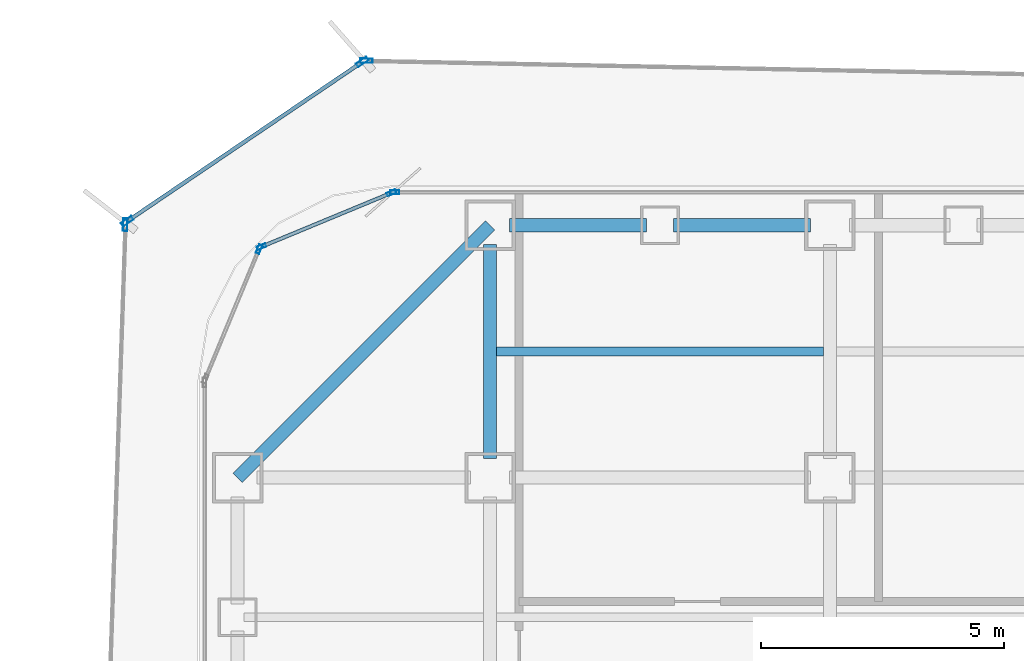
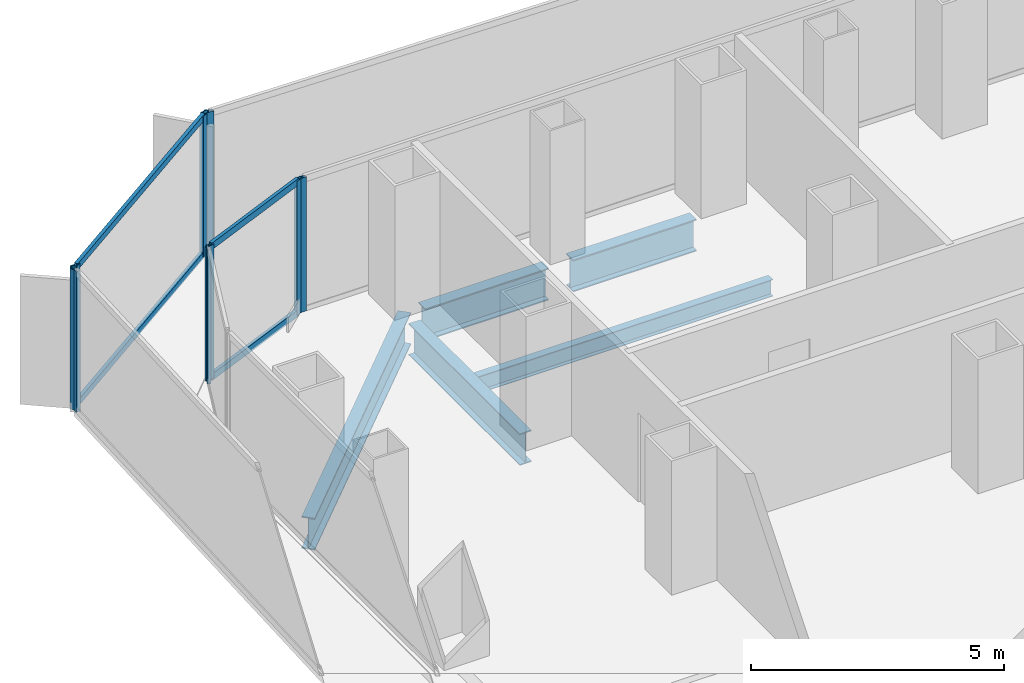
# One storey, part 11 of 22: 12 members, 5 beams, 6 elements without a shape of their own.
"""IFC4 building model written with IfcOpenShell, lengths in metres."""

from ifc_helpers import new_model, si_unit, direction, frame, origin, origin_2d, place, context, subcontext, project, spatial, hollow_rectangle, i_section, extrude, source, transform, mapped, material, layer, layer_set, material_profile, profile_set, type_object, element, aggregate, save


model = new_model("IFC4")

# Units and contexts
model_context = context("Model", 3, precision=1e-05, world=origin(), true_north=direction((0.0, 1.0)))
body_context = subcontext(model_context, "Body", "Model", "MODEL_VIEW")
ifc_project = project(units=[si_unit("LENGTHUNIT", "METRE"), si_unit("AREAUNIT", "SQUARE_METRE"), si_unit("VOLUMEUNIT", "CUBIC_METRE"), si_unit("PLANEANGLEUNIT", "RADIAN"), si_unit("MASSUNIT", "GRAM", prefix="KILO")], contexts=[model_context])

# Site, building, storey
site_placement = place(None, origin())
site = spatial("IfcSite", under=ifc_project, at=site_placement, CompositionType="ELEMENT")
building_placement = place(site_placement, origin())
building = spatial("IfcBuilding", under=site, at=building_placement, Name="Kolveth Station Tower", CompositionType="ELEMENT")
storey_placement = place(building_placement, frame((0.0, 0.0, 84.60009765625)))
storey = spatial("IfcBuildingStorey", under=building, at=storey_placement, Name="L22", CompositionType="ELEMENT", Elevation=84.60009765625)

# Beams
ifc_material_1 = material(Name="Steel S355", Category="steel")
ifc_material_profile_1 = material_profile(ifc_material_1, i_section(OverallWidth=0.26904296875, OverallDepth=0.77490234375, WebThickness=0.01708984375, FlangeThickness=0.0283203125, at=origin_2d()), Name="W760x220")
ifc_profile_set_1 = profile_set([ifc_material_profile_1], Name="Steel S355")
beam_type_1 = type_object("IfcBeamType", Name="Beam_SP1", PredefinedType="SPANDREL", material=ifc_profile_set_1)
shared_shape_1 = source(origin(), body_context, "Body", "SweptSolid", [
    extrude(i_section(OverallWidth=0.26904296875, OverallDepth=0.77490234375, WebThickness=0.01708984375, FlangeThickness=0.0283203125, at=origin_2d()), origin(), (0.0, 0.0, 1.0), 7.353759765625),
])
beam_1_placement = place(storey_placement, frame((6.0, 39.699951171875, -0.66748046875), z_axis=(-0.707106781187, -0.707106781187, 0.0), x_axis=(0.707106781187, -0.707106781187, 0.0)))
element("IfcBeam", 1, at=beam_1_placement, inside=storey, type_object=beam_type_1, Name="L22 Corner Edge Girder BM-L22-CNR-NW", PredefinedType="SPANDREL", context=body_context, shape_type="MappedRepresentation", body=[
    mapped(shared_shape_1, transform((0.0, 0.0, 0.0), x_axis=(1.0, 0.0, 0.0), y_axis=(0.0, 1.0, 0.0), z_axis=(0.0, 0.0, 1.0), scale=1.0)),
])
shared_shape_2 = source(origin(), body_context, "Body", "SweptSolid", [
    extrude(i_section(OverallWidth=0.26904296875, OverallDepth=0.77490234375, WebThickness=0.01708984375, FlangeThickness=0.0283203125, at=origin_2d()), origin(), (0.0, 0.0, 1.0), 2.820068359375),
])
for number, where, z_axis, x_axis, name in (
    (2, (6.39990234375, 39.699951171875, -0.66748046875), (1.0, 0.0, 0.0), (0.0, 1.0, 0.0), "L22 Perimeter Spandrel BM-L22-PN-1"),
    (3, (9.780029296875, 39.699951171875, -0.66748046875), (1.0, 0.0, 0.0), (0.0, 1.0, 0.0), "L22 Perimeter Spandrel BM-L22-PN-2"),
):
    element("IfcBeam", number, at=place(storey_placement, frame(where, z_axis=z_axis, x_axis=x_axis)), inside=storey, type_object=beam_type_1, Name=name, PredefinedType="SPANDREL", context=body_context, shape_type="MappedRepresentation", body=[
        mapped(shared_shape_2, transform((0.0, 0.0, 0.0), x_axis=(1.0, 0.0, 0.0), y_axis=(0.0, 1.0, 0.0), z_axis=(0.0, 0.0, 1.0), scale=1.0)),
    ])
ifc_material_profile_2 = material_profile(ifc_material_1, i_section(OverallWidth=0.26708984375, OverallDepth=0.76611328125, WebThickness=0.014892578125, FlangeThickness=0.023681640625, at=origin_2d()), Name="W760x185")
ifc_profile_set_2 = profile_set([ifc_material_profile_2], Name="Steel S355")
beam_type_2 = type_object("IfcBeamType", Name="Beam_B3", PredefinedType="BEAM", material=ifc_profile_set_2)
shared_shape_3 = source(origin(), body_context, "Body", "SweptSolid", [
    extrude(i_section(OverallWidth=0.26708984375, OverallDepth=0.76611328125, WebThickness=0.014892578125, FlangeThickness=0.023681640625, at=origin_2d()), origin(), (0.0, 0.0, 1.0), 4.400146484375),
])
beam_2_placement = place(storey_placement, frame((6.0, 34.89990234375, -0.6630859375), z_axis=(0.0, 1.0, 0.0), x_axis=(-1.0, 0.0, 0.0)))
element("IfcBeam", 4, at=beam_2_placement, inside=storey, type_object=beam_type_2, Name="L22 Primary Girder BM-L22-GX60-7", PredefinedType="BEAM", context=body_context, shape_type="MappedRepresentation", body=[
    mapped(shared_shape_3, transform((0.0, 0.0, 0.0), x_axis=(1.0, 0.0, 0.0), y_axis=(0.0, 1.0, 0.0), z_axis=(0.0, 0.0, 1.0), scale=1.0)),
])
ifc_material_profile_3 = material_profile(ifc_material_1, i_section(OverallWidth=0.177978515625, OverallDepth=0.406982421875, WebThickness=0.0078125, FlangeThickness=0.0126953125, at=origin_2d()), Name="W410x60")
ifc_profile_set_3 = profile_set([ifc_material_profile_3], Name="Steel S355")
beam_type_3 = type_object("IfcBeamType", Name="Beam_J1", PredefinedType="JOIST", material=ifc_profile_set_3)
shared_shape_4 = source(origin(), body_context, "Body", "SweptSolid", [
    extrude(i_section(OverallWidth=0.177978515625, OverallDepth=0.406982421875, WebThickness=0.0078125, FlangeThickness=0.0126953125, at=origin_2d()), origin(), (0.0, 0.0, 1.0), 6.73681640625),
])
beam_3_placement = place(storey_placement, frame((6.131591796875, 37.10009765625, -0.483642578125), z_axis=(1.0, 0.0, 0.0), x_axis=(0.0, 1.0, 0.0)))
element("IfcBeam", 5, at=beam_3_placement, inside=storey, type_object=beam_type_3, Name="L22 Secondary Joist JST-L22-2-7", PredefinedType="JOIST", context=body_context, shape_type="MappedRepresentation", body=[
    mapped(shared_shape_4, transform((0.0, 0.0, 0.0), x_axis=(1.0, 0.0, 0.0), y_axis=(0.0, 1.0, 0.0), z_axis=(0.0, 0.0, 1.0), scale=1.0)),
])

# Curtain wall, members
ifc_material_2 = material(Name="Aluminium 6063-T6 and low-E dark glass", Category="aluminium")
ifc_layer_1 = layer(ifc_material_2, 0.179931640625)
ifc_layer_set_1 = layer_set([ifc_layer_1], Name="Aluminium 6063-T6 and low-E dark glass")
curtain_wall_type_1 = type_object("IfcCurtainWallType", Name="CurtainWall_CW-Z1", PredefinedType="NOTDEFINED", material=ifc_layer_set_1)
curtain_wall_1_placement = place(storey_placement, origin())
curtain_wall_1 = element("IfcCurtainWall", 6, at=curtain_wall_1_placement, inside=storey, type_object=curtain_wall_type_1, Name="L22 Inner Thermal Curtain Wall 7", PredefinedType="NOTDEFINED")
ifc_material_3 = material(Name="Black anodized aluminium 6063-T6", Category="aluminium")
ifc_material_profile_4 = material_profile(ifc_material_3, hollow_rectangle(XDim=0.074951171875, YDim=0.159912109375, WallThickness=0.0048828125, at=origin_2d()), Name="ALU-75x160x5")
ifc_profile_set_4 = profile_set([ifc_material_profile_4], Name="Black anodized aluminium 6063-T6")
member_type_1 = type_object("IfcMemberType", Name="Transom_TR1", PredefinedType="USERDEFINED", material=ifc_profile_set_4)
shared_shape_5 = source(origin(), body_context, "Body", "SweptSolid", [
    extrude(hollow_rectangle(XDim=0.074951171875, YDim=0.159912109375, WallThickness=0.0048828125, at=origin_2d()), origin(), (0.0, 0.0, 1.0), 2.819580078125),
])
member_1_placement = place(storey_placement, frame((3.9306640625, 40.351318359375, 0.037353515625), z_axis=(-0.923869084389, -0.382708655389, 0.0), x_axis=(0.382708655389, -0.923869084389, 0.0)))
member_1 = element("IfcMember", 7, at=member_1_placement, type_object=member_type_1, Name="CW-Z1 transom 1.1", ObjectType="TRANSOM", PredefinedType="USERDEFINED", context=body_context, shape_type="MappedRepresentation", body=[
    mapped(shared_shape_5, transform((0.0, 0.0, 0.0), x_axis=(1.0, 0.0, 0.0), y_axis=(0.0, 1.0, 0.0), z_axis=(0.0, 0.0, 1.0), scale=1.0)),
])
member_2_placement = place(storey_placement, frame((3.9306640625, 40.351318359375, 3.202392578125), z_axis=(-0.923869084389, -0.382708655389, 0.0), x_axis=(0.382708655389, -0.923869084389, 0.0)))
member_2 = element("IfcMember", 8, at=member_2_placement, type_object=member_type_1, Name="CW-Z1 transom 1.2", ObjectType="TRANSOM", PredefinedType="USERDEFINED", context=body_context, shape_type="MappedRepresentation", body=[
    mapped(shared_shape_5, transform((0.0, 0.0, 0.0), x_axis=(1.0, 0.0, 0.0), y_axis=(0.0, 1.0, 0.0), z_axis=(0.0, 0.0, 1.0), scale=1.0)),
])

# Curtain wall, member
ifc_material_4 = material(Name="Black anodized aluminium 6063-T6 and dark solar glass", Category="aluminium")
ifc_layer_2 = layer(ifc_material_4, 0.159912109375)
ifc_layer_set_2 = layer_set([ifc_layer_2], Name="Black anodized aluminium 6063-T6 and dark solar glass")
curtain_wall_type_2 = type_object("IfcCurtainWallType", Name="OUTER SKIN CW-OS", PredefinedType="NOTDEFINED", material=ifc_layer_set_2)
curtain_wall_2_placement = place(storey_placement, origin())
curtain_wall_2 = element("IfcCurtainWall", 9, at=curtain_wall_2_placement, inside=storey, type_object=curtain_wall_type_2, Name="L22 Outer Ventilated Skin Curtain Wall 4", PredefinedType="NOTDEFINED")
ifc_material_profile_5 = material_profile(ifc_material_3, hollow_rectangle(XDim=0.090087890625, YDim=0.260009765625, WallThickness=0.0048828125, at=origin_2d()), Name="ALU-90x260x5")
ifc_profile_set_5 = profile_set([ifc_material_profile_5], Name="Black anodized aluminium 6063-T6")
member_type_2 = type_object("IfcMemberType", Name="FIN MULLION ML-OS", PredefinedType="MULLION", material=ifc_profile_set_5)
shared_shape_6 = source(origin(), body_context, "Body", "SweptSolid", [
    extrude(hollow_rectangle(XDim=0.090087890625, YDim=0.260009765625, WallThickness=0.0048828125, at=origin_2d()), origin(), (0.0, 0.0, 1.0), 3.389892578125),
])
member_3_placement = place(storey_placement, frame((3.451171875, 43.090087890625, 0.0), z_axis=(0.0, 0.0, 1.0), x_axis=(-0.020048935948, -0.999798999883, 0.0)))
member_3 = element("IfcMember", 10, at=member_3_placement, type_object=member_type_2, Name="CW-OS mullion 2", PredefinedType="MULLION", context=body_context, shape_type="MappedRepresentation", body=[
    mapped(shared_shape_6, transform((0.0, 0.0, 0.0), x_axis=(1.0, 0.0, 0.0), y_axis=(0.0, 1.0, 0.0), z_axis=(0.0, 0.0, 1.0), scale=1.0)),
])
aggregate(curtain_wall_2, [member_3])

# Curtain wall, members
curtain_wall_3_placement = place(storey_placement, origin())
curtain_wall_3 = element("IfcCurtainWall", 11, at=curtain_wall_3_placement, inside=storey, type_object=curtain_wall_type_2, Name="L22 Outer Ventilated Skin Curtain Wall 5", PredefinedType="NOTDEFINED")
member_4_placement = place(storey_placement, frame((3.368896484375, 43.065673828125, 0.0), z_axis=(0.0, 0.0, 1.0), x_axis=(0.561104778587, -0.827744784004, 0.0)))
member_4 = element("IfcMember", 12, at=member_4_placement, type_object=member_type_2, Name="CW-OS mullion 1", PredefinedType="MULLION", context=body_context, shape_type="MappedRepresentation", body=[
    mapped(shared_shape_6, transform((0.0, 0.0, 0.0), x_axis=(1.0, 0.0, 0.0), y_axis=(0.0, 1.0, 0.0), z_axis=(0.0, 0.0, 1.0), scale=1.0)),
])
member_5_placement = place(storey_placement, frame((-1.47705078125, 39.78076171875, 0.0), z_axis=(0.0, 0.0, 1.0), x_axis=(0.561104778587, -0.827744784004, 0.0)))
member_5 = element("IfcMember", 13, at=member_5_placement, type_object=member_type_2, Name="CW-OS mullion 2", PredefinedType="MULLION", context=body_context, shape_type="MappedRepresentation", body=[
    mapped(shared_shape_6, transform((0.0, 0.0, 0.0), x_axis=(1.0, 0.0, 0.0), y_axis=(0.0, 1.0, 0.0), z_axis=(0.0, 0.0, 1.0), scale=1.0)),
])

# Curtain wall, member
curtain_wall_4_placement = place(storey_placement, origin())
curtain_wall_4 = element("IfcCurtainWall", 14, at=curtain_wall_4_placement, inside=storey, type_object=curtain_wall_type_2, Name="L22 Outer Ventilated Skin Curtain Wall 6", PredefinedType="NOTDEFINED")
member_6_placement = place(storey_placement, frame((-1.515625, 39.71044921875, 0.0), z_axis=(0.0, 0.0, 1.0), x_axis=(0.999417411257, -0.034129724221, 0.0)))
member_6 = element("IfcMember", 15, at=member_6_placement, type_object=member_type_2, Name="CW-OS mullion 1", PredefinedType="MULLION", context=body_context, shape_type="MappedRepresentation", body=[
    mapped(shared_shape_6, transform((0.0, 0.0, 0.0), x_axis=(1.0, 0.0, 0.0), y_axis=(0.0, 1.0, 0.0), z_axis=(0.0, 0.0, 1.0), scale=1.0)),
])
aggregate(curtain_wall_4, [member_6])

curtain_wall_5_placement = place(storey_placement, origin())
curtain_wall_5 = element("IfcCurtainWall", 16, at=curtain_wall_5_placement, inside=storey, type_object=curtain_wall_type_1, Name="L22 Inner Thermal Curtain Wall 6", PredefinedType="NOTDEFINED")
ifc_material_profile_6 = material_profile(ifc_material_3, hollow_rectangle(XDim=0.074951171875, YDim=0.18994140625, WallThickness=0.0048828125, at=origin_2d()), Name="ALU-75x190x5")
ifc_profile_set_6 = profile_set([ifc_material_profile_6], Name="Black anodized aluminium 6063-T6")
member_type_3 = type_object("IfcMemberType", Name="Mullion_ML1", PredefinedType="MULLION", material=ifc_profile_set_6)
shared_shape_7 = source(origin(), body_context, "Body", "SweptSolid", [
    extrude(hollow_rectangle(XDim=0.074951171875, YDim=0.18994140625, WallThickness=0.0048828125, at=origin_2d()), origin(), (0.0, 0.0, 1.0), 3.239990234375),
])
member_7_placement = place(storey_placement, frame((4.03759765625, 40.3798828125, 0.0), z_axis=(0.0, 0.0, 1.0), x_axis=(0.0, -1.0, 0.0)))
member_7 = element("IfcMember", 17, at=member_7_placement, type_object=member_type_3, Name="CW-Z1 mullion 3", PredefinedType="MULLION", context=body_context, shape_type="MappedRepresentation", body=[
    mapped(shared_shape_7, transform((0.0, 0.0, 0.0), x_axis=(1.0, 0.0, 0.0), y_axis=(0.0, 1.0, 0.0), z_axis=(0.0, 0.0, 1.0), scale=1.0)),
])
aggregate(curtain_wall_5, [member_7])

# Member
member_8_placement = place(storey_placement, frame((3.96533203125, 40.36572265625, 0.0), z_axis=(0.0, 0.0, 1.0), x_axis=(0.382672990201, -0.923883857728, 0.0)))
member_8 = element("IfcMember", 18, at=member_8_placement, type_object=member_type_3, Name="CW-Z1 mullion 1", PredefinedType="MULLION", context=body_context, shape_type="MappedRepresentation", body=[
    mapped(shared_shape_7, transform((0.0, 0.0, 0.0), x_axis=(1.0, 0.0, 0.0), y_axis=(0.0, 1.0, 0.0), z_axis=(0.0, 0.0, 1.0), scale=1.0)),
])

member_9_placement = place(storey_placement, frame((1.291015625, 39.258056640625, 0.0), z_axis=(0.0, 0.0, 1.0), x_axis=(0.382672990201, -0.923883857728, 0.0)))
member_9 = element("IfcMember", 19, at=member_9_placement, type_object=member_type_3, Name="CW-Z1 mullion 2", PredefinedType="MULLION", context=body_context, shape_type="MappedRepresentation", body=[
    mapped(shared_shape_7, transform((0.0, 0.0, 0.0), x_axis=(1.0, 0.0, 0.0), y_axis=(0.0, 1.0, 0.0), z_axis=(0.0, 0.0, 1.0), scale=1.0)),
])

aggregate(curtain_wall_1, [member_8, member_9, member_1, member_2])

# Curtain wall, member
curtain_wall_6_placement = place(storey_placement, origin())
curtain_wall_6 = element("IfcCurtainWall", 20, at=curtain_wall_6_placement, inside=storey, type_object=curtain_wall_type_1, Name="L22 Inner Thermal Curtain Wall 8", PredefinedType="NOTDEFINED")
member_10_placement = place(storey_placement, frame((1.241943359375, 39.208984375, 0.0), z_axis=(0.0, 0.0, 1.0), x_axis=(0.923883857728, -0.382672990201, 0.0)))
member_10 = element("IfcMember", 21, at=member_10_placement, type_object=member_type_3, Name="CW-Z1 mullion 1", PredefinedType="MULLION", context=body_context, shape_type="MappedRepresentation", body=[
    mapped(shared_shape_7, transform((0.0, 0.0, 0.0), x_axis=(1.0, 0.0, 0.0), y_axis=(0.0, 1.0, 0.0), z_axis=(0.0, 0.0, 1.0), scale=1.0)),
])
aggregate(curtain_wall_6, [member_10])

# Member
ifc_material_profile_7 = material_profile(ifc_material_3, hollow_rectangle(XDim=0.080078125, YDim=0.14990234375, WallThickness=0.0048828125, at=origin_2d()), Name="ALU-80x150x5")
ifc_profile_set_7 = profile_set([ifc_material_profile_7], Name="Black anodized aluminium 6063-T6")
member_type_4 = type_object("IfcMemberType", Name="Transom_TR-OS", PredefinedType="USERDEFINED", material=ifc_profile_set_7)
shared_shape_8 = source(origin(), body_context, "Body", "SweptSolid", [
    extrude(hollow_rectangle(XDim=0.080078125, YDim=0.14990234375, WallThickness=0.0048828125, at=origin_2d()), origin(), (0.0, 0.0, 1.0), 5.764404296875),
])
member_11_placement = place(storey_placement, frame((3.331787109375, 43.040283203125, 0.039794921875), z_axis=(-0.827751174112, -0.561095351751, 0.0), x_axis=(0.561095351751, -0.827751174112, 0.0)))
member_11 = element("IfcMember", 22, at=member_11_placement, type_object=member_type_4, Name="CW-OS transom 1.1", ObjectType="TRANSOM", PredefinedType="USERDEFINED", context=body_context, shape_type="MappedRepresentation", body=[
    mapped(shared_shape_8, transform((0.0, 0.0, 0.0), x_axis=(1.0, 0.0, 0.0), y_axis=(0.0, 1.0, 0.0), z_axis=(0.0, 0.0, 1.0), scale=1.0)),
])

member_12_placement = place(storey_placement, frame((3.331787109375, 43.040283203125, 3.349853515625), z_axis=(-0.827751174112, -0.561095351751, 0.0), x_axis=(0.561095351751, -0.827751174112, 0.0)))
member_12 = element("IfcMember", 23, at=member_12_placement, type_object=member_type_4, Name="CW-OS transom 1.2", ObjectType="TRANSOM", PredefinedType="USERDEFINED", context=body_context, shape_type="MappedRepresentation", body=[
    mapped(shared_shape_8, transform((0.0, 0.0, 0.0), x_axis=(1.0, 0.0, 0.0), y_axis=(0.0, 1.0, 0.0), z_axis=(0.0, 0.0, 1.0), scale=1.0)),
])

aggregate(curtain_wall_3, [member_4, member_5, member_11, member_12])

save(model, "model.ifc")
